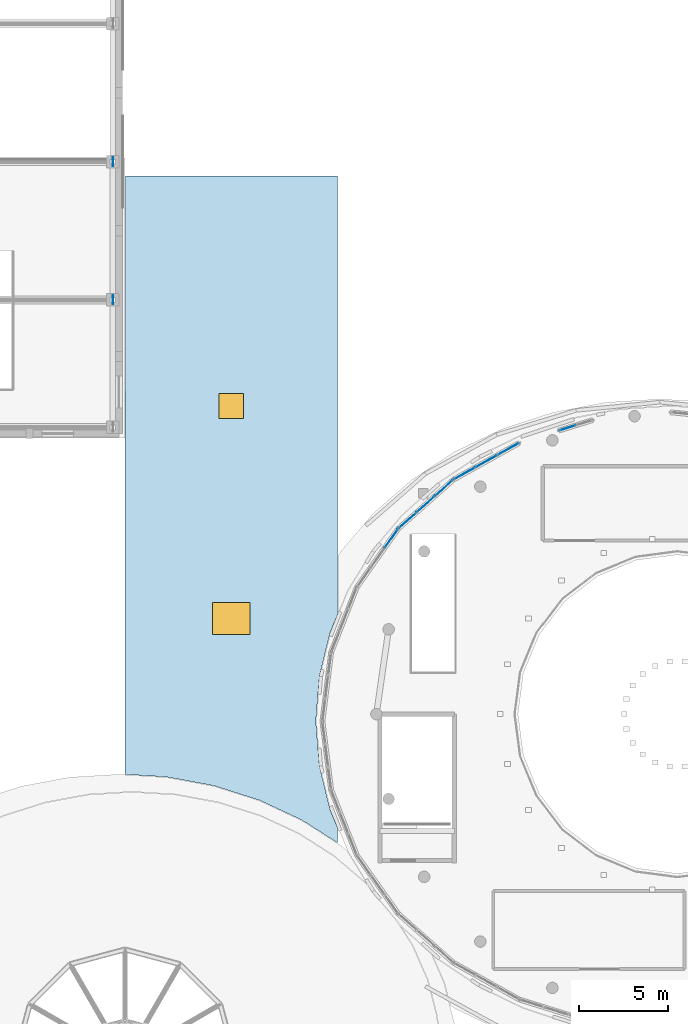
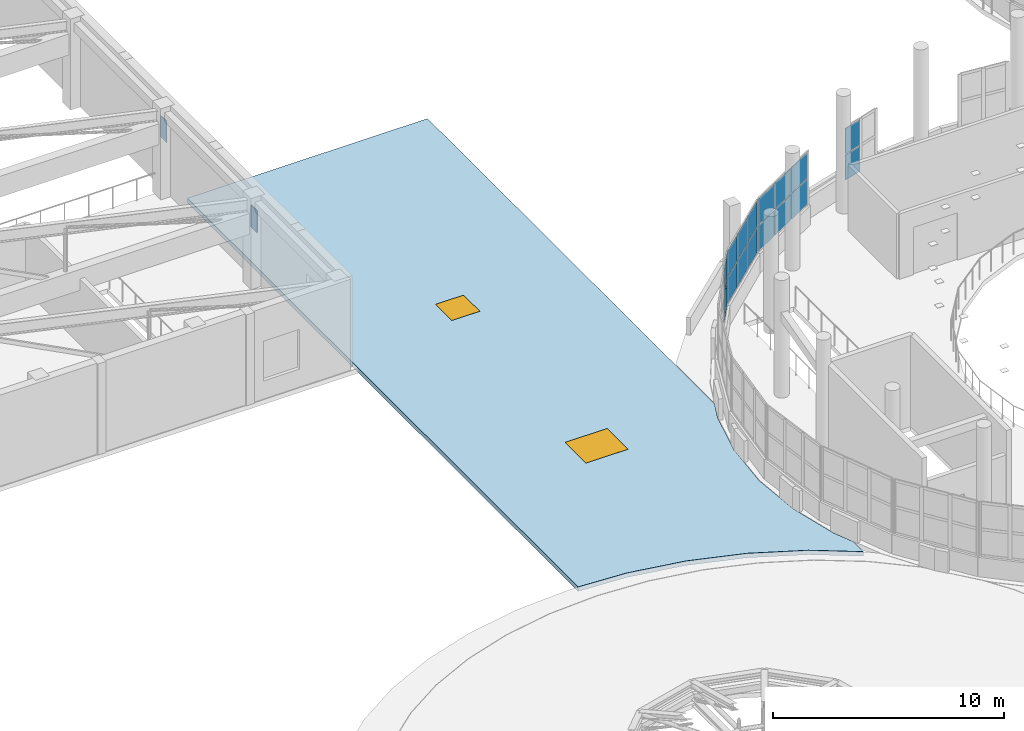
# One storey, part 74 of 105: 18 plates, 2 windows, 1 slab, 2 openings, 4 elements without a shape of their own.
"""IFC4 building model written with IfcOpenShell, lengths in metres."""

from ifc_helpers import new_model, si_unit, direction, frame, origin, origin_2d, place, context, subcontext, project, spatial, polyline, rectangle, outline, extrude, material, layer, layer_set, type_object, element, fill, aggregate, save


model = new_model("IFC4")

# Units and contexts
model_context = context("Model", 3, precision=1e-05, world=origin(), true_north=direction((0.0, 1.0)))
body_context = subcontext(model_context, "Body", "Model", "MODEL_VIEW")
ifc_project = project(units=[si_unit("LENGTHUNIT", "METRE"), si_unit("AREAUNIT", "SQUARE_METRE"), si_unit("VOLUMEUNIT", "CUBIC_METRE"), si_unit("PLANEANGLEUNIT", "RADIAN"), si_unit("MASSUNIT", "GRAM", prefix="KILO")], contexts=[model_context])

# Site, building, storey
site_placement = place(None, origin())
site = spatial("IfcSite", under=ifc_project, at=site_placement, CompositionType="ELEMENT")
building_placement = place(site_placement, origin())
building = spatial("IfcBuilding", under=site, at=building_placement, Name="Pelvatis Terrace Science Centre", CompositionType="ELEMENT")
storey_placement = place(building_placement, frame((0.0, 0.0, 10.199951171875)))
storey = spatial("IfcBuildingStorey", under=building, at=storey_placement, Name="L02", CompositionType="ELEMENT", Elevation=10.199951171875)

# Curtain wall, plates
ifc_material_1 = material(Name="Bronze-anodised aluminium and laminated glass", Category="aluminium")
ifc_layer_1 = layer(ifc_material_1, 0.179931640625)
ifc_layer_set_1 = layer_set([ifc_layer_1], Name="Bronze-anodised aluminium and laminated glass")
curtain_wall_type = type_object("IfcCurtainWallType", Name="CW-RIBBON-A", PredefinedType="NOTDEFINED", material=ifc_layer_set_1)
curtain_wall_1_placement = place(storey_placement, origin())
curtain_wall_1 = element("IfcCurtainWall", 1, at=curtain_wall_1_placement, inside=storey, type_object=curtain_wall_type, Name="Ribbon curtain wall CW-081 (L02)", PredefinedType="NOTDEFINED")
ifc_material_2 = material(Name="Low-e laminated solar-control double glazing", Category="glass")
ifc_layer_2 = layer(ifc_material_2, 0.035888671875)
ifc_layer_set_2 = layer_set([ifc_layer_2], Name="Low-e laminated solar-control double glazing")
plate_type_1 = type_object("IfcPlateType", Name="CWP-IGU-36", PredefinedType="CURTAIN_PANEL", material=ifc_layer_set_2)
plate_1_placement = place(storey_placement, frame((71.789794921875, 70.765869140625, 1.080078125), z_axis=(0.0, 0.0, 1.0), x_axis=(-0.954960562512, -0.296732748523, 0.0)))
plate_1 = element("IfcPlate", 2, at=plate_1_placement, type_object=plate_type_1, Name="CW-081 panel 2.1", PredefinedType="CURTAIN_PANEL", context=body_context, shape_type="SweptSolid", body=[
    extrude(rectangle(XDim=0.923828125, YDim=0.035888671875, at=origin_2d()), origin(), (0.0, 0.0, 1.0), 1.330078125),
])
plate_2_placement = place(storey_placement, frame((71.789794921875, 70.765869140625, 2.469970703125), z_axis=(0.0, 0.0, 1.0), x_axis=(-0.954960562512, -0.296732748523, 0.0)))
plate_2 = element("IfcPlate", 3, at=plate_2_placement, type_object=plate_type_1, Name="CW-081 panel 2.2", PredefinedType="CURTAIN_PANEL", context=body_context, shape_type="SweptSolid", body=[
    extrude(rectangle(XDim=0.923828125, YDim=0.035888671875, at=origin_2d()), origin(), (0.0, 0.0, 1.0), 1.330078125),
])
aggregate(curtain_wall_1, [plate_1, plate_2])

curtain_wall_2_placement = place(storey_placement, origin())
curtain_wall_2 = element("IfcCurtainWall", 4, at=curtain_wall_2_placement, inside=storey, type_object=curtain_wall_type, Name="Ribbon curtain wall CW-082 (L02)", PredefinedType="NOTDEFINED")
plate_3_placement = place(storey_placement, frame((68.440185546875, 69.568115234375, 1.080078125), z_axis=(0.0, 0.0, 1.0), x_axis=(-0.87325916589, -0.487256020167, 0.0)))
plate_3 = element("IfcPlate", 5, at=plate_3_placement, type_object=plate_type_1, Name="CW-082 panel 1.1", PredefinedType="CURTAIN_PANEL", context=body_context, shape_type="SweptSolid", body=[
    extrude(rectangle(XDim=1.332275390625, YDim=0.035888671875, at=origin_2d()), origin(), (0.0, 0.0, 1.0), 1.330078125),
])
plate_4_placement = place(storey_placement, frame((68.440185546875, 69.568115234375, 2.469970703125), z_axis=(0.0, 0.0, 1.0), x_axis=(-0.87325916589, -0.487256020167, 0.0)))
plate_4 = element("IfcPlate", 6, at=plate_4_placement, type_object=plate_type_1, Name="CW-082 panel 1.2", PredefinedType="CURTAIN_PANEL", context=body_context, shape_type="SweptSolid", body=[
    extrude(rectangle(XDim=1.332275390625, YDim=0.035888671875, at=origin_2d()), origin(), (0.0, 0.0, 1.0), 1.330078125),
])
plate_5_placement = place(storey_placement, frame((67.211181640625, 68.882568359375, 1.080078125), z_axis=(0.0, 0.0, 1.0), x_axis=(-0.87325916589, -0.487256020167, 0.0)))
plate_5 = element("IfcPlate", 7, at=plate_5_placement, type_object=plate_type_1, Name="CW-082 panel 2.1", PredefinedType="CURTAIN_PANEL", context=body_context, shape_type="SweptSolid", body=[
    extrude(rectangle(XDim=1.362060546875, YDim=0.035888671875, at=origin_2d()), origin(), (0.0, 0.0, 1.0), 1.330078125),
])
plate_6_placement = place(storey_placement, frame((67.211181640625, 68.882568359375, 2.469970703125), z_axis=(0.0, 0.0, 1.0), x_axis=(-0.87325916589, -0.487256020167, 0.0)))
plate_6 = element("IfcPlate", 8, at=plate_6_placement, type_object=plate_type_1, Name="CW-082 panel 2.2", PredefinedType="CURTAIN_PANEL", context=body_context, shape_type="SweptSolid", body=[
    extrude(rectangle(XDim=1.362060546875, YDim=0.035888671875, at=origin_2d()), origin(), (0.0, 0.0, 1.0), 1.330078125),
])
plate_7_placement = place(storey_placement, frame((65.982421875, 68.19677734375, 1.080078125), z_axis=(0.0, 0.0, 1.0), x_axis=(-0.87325916589, -0.487256020167, 0.0)))
plate_7 = element("IfcPlate", 9, at=plate_7_placement, type_object=plate_type_1, Name="CW-082 panel 3.1", PredefinedType="CURTAIN_PANEL", context=body_context, shape_type="SweptSolid", body=[
    extrude(rectangle(XDim=1.332275390625, YDim=0.035888671875, at=origin_2d()), origin(), (0.0, 0.0, 1.0), 1.330078125),
])
plate_8_placement = place(storey_placement, frame((65.982421875, 68.19677734375, 2.469970703125), z_axis=(0.0, 0.0, 1.0), x_axis=(-0.87325916589, -0.487256020167, 0.0)))
plate_8 = element("IfcPlate", 10, at=plate_8_placement, type_object=plate_type_1, Name="CW-082 panel 3.2", PredefinedType="CURTAIN_PANEL", context=body_context, shape_type="SweptSolid", body=[
    extrude(rectangle(XDim=1.332275390625, YDim=0.035888671875, at=origin_2d()), origin(), (0.0, 0.0, 1.0), 1.330078125),
])
aggregate(curtain_wall_2, [plate_3, plate_4, plate_5, plate_6, plate_7, plate_8])

curtain_wall_3_placement = place(storey_placement, origin())
curtain_wall_3 = element("IfcCurtainWall", 11, at=curtain_wall_3_placement, inside=storey, type_object=curtain_wall_type, Name="Ribbon curtain wall CW-083 (L02)", PredefinedType="NOTDEFINED")
plate_9_placement = place(storey_placement, frame((64.818603515625, 67.37255859375, 1.080078125), z_axis=(0.0, 0.0, 1.0), x_axis=(-0.747718167808, -0.664016220834, 0.0)))
plate_9 = element("IfcPlate", 12, at=plate_9_placement, type_object=plate_type_1, Name="CW-083 panel 1.1", PredefinedType="CURTAIN_PANEL", context=body_context, shape_type="SweptSolid", body=[
    extrude(rectangle(XDim=1.297119140625, YDim=0.035888671875, at=origin_2d()), origin(), (0.0, 0.0, 1.0), 1.330078125),
])
plate_10_placement = place(storey_placement, frame((64.818603515625, 67.37255859375, 2.469970703125), z_axis=(0.0, 0.0, 1.0), x_axis=(-0.747718167808, -0.664016220834, 0.0)))
plate_10 = element("IfcPlate", 13, at=plate_10_placement, type_object=plate_type_1, Name="CW-083 panel 1.2", PredefinedType="CURTAIN_PANEL", context=body_context, shape_type="SweptSolid", body=[
    extrude(rectangle(XDim=1.297119140625, YDim=0.035888671875, at=origin_2d()), origin(), (0.0, 0.0, 1.0), 1.330078125),
])
plate_11_placement = place(storey_placement, frame((63.792724609375, 66.46142578125, 1.080078125), z_axis=(0.0, 0.0, 1.0), x_axis=(-0.747718167808, -0.664016220834, 0.0)))
plate_11 = element("IfcPlate", 14, at=plate_11_placement, type_object=plate_type_1, Name="CW-083 panel 2.1", PredefinedType="CURTAIN_PANEL", context=body_context, shape_type="SweptSolid", body=[
    extrude(rectangle(XDim=1.3271484375, YDim=0.035888671875, at=origin_2d()), origin(), (0.0, 0.0, 1.0), 1.330078125),
])
plate_12_placement = place(storey_placement, frame((63.792724609375, 66.46142578125, 2.469970703125), z_axis=(0.0, 0.0, 1.0), x_axis=(-0.747718167808, -0.664016220834, 0.0)))
plate_12 = element("IfcPlate", 15, at=plate_12_placement, type_object=plate_type_1, Name="CW-083 panel 2.2", PredefinedType="CURTAIN_PANEL", context=body_context, shape_type="SweptSolid", body=[
    extrude(rectangle(XDim=1.3271484375, YDim=0.035888671875, at=origin_2d()), origin(), (0.0, 0.0, 1.0), 1.330078125),
])
plate_13_placement = place(storey_placement, frame((62.766845703125, 65.55029296875, 1.080078125), z_axis=(0.0, 0.0, 1.0), x_axis=(-0.747718167808, -0.664016220834, 0.0)))
plate_13 = element("IfcPlate", 16, at=plate_13_placement, type_object=plate_type_1, Name="CW-083 panel 3.1", PredefinedType="CURTAIN_PANEL", context=body_context, shape_type="SweptSolid", body=[
    extrude(rectangle(XDim=1.297119140625, YDim=0.035888671875, at=origin_2d()), origin(), (0.0, 0.0, 1.0), 1.330078125),
])
plate_14_placement = place(storey_placement, frame((62.766845703125, 65.55029296875, 2.469970703125), z_axis=(0.0, 0.0, 1.0), x_axis=(-0.747718167808, -0.664016220834, 0.0)))
plate_14 = element("IfcPlate", 17, at=plate_14_placement, type_object=plate_type_1, Name="CW-083 panel 3.2", PredefinedType="CURTAIN_PANEL", context=body_context, shape_type="SweptSolid", body=[
    extrude(rectangle(XDim=1.297119140625, YDim=0.035888671875, at=origin_2d()), origin(), (0.0, 0.0, 1.0), 1.330078125),
])
aggregate(curtain_wall_3, [plate_9, plate_10, plate_11, plate_12, plate_13, plate_14])

curtain_wall_4_placement = place(storey_placement, origin())
curtain_wall_4 = element("IfcCurtainWall", 18, at=curtain_wall_4_placement, inside=storey, type_object=curtain_wall_type, Name="Ribbon curtain wall CW-084 (L02)", PredefinedType="NOTDEFINED")
plate_15_placement = place(storey_placement, frame((61.838134765625, 64.51611328125, 1.080078125), z_axis=(0.0, 0.0, 1.0), x_axis=(-0.57759146286, -0.8163259778, 0.0)))
plate_15 = element("IfcPlate", 19, at=plate_15_placement, type_object=plate_type_1, Name="CW-084 panel 1.1", PredefinedType="CURTAIN_PANEL", context=body_context, shape_type="SweptSolid", body=[
    extrude(rectangle(XDim=1.260986328125, YDim=0.035888671875, at=origin_2d()), origin(), (0.0, 0.0, 1.0), 1.330078125),
])
plate_16_placement = place(storey_placement, frame((61.838134765625, 64.51611328125, 2.469970703125), z_axis=(0.0, 0.0, 1.0), x_axis=(-0.57759146286, -0.8163259778, 0.0)))
plate_16 = element("IfcPlate", 20, at=plate_16_placement, type_object=plate_type_1, Name="CW-084 panel 1.2", PredefinedType="CURTAIN_PANEL", context=body_context, shape_type="SweptSolid", body=[
    extrude(rectangle(XDim=1.260986328125, YDim=0.035888671875, at=origin_2d()), origin(), (0.0, 0.0, 1.0), 1.330078125),
])
aggregate(curtain_wall_4, [plate_15, plate_16])

# Plates
ifc_material_3 = material(Name="Structural steel S355", Category="steel")
ifc_layer_3 = layer(ifc_material_3, 1.139892578125)
ifc_layer_set_3 = layer_set([ifc_layer_3], Name="Structural steel S355")
plate_type_2 = type_object("IfcPlateType", Name="PLT-CAP-BOX1100", PredefinedType="USERDEFINED", material=ifc_layer_set_3)
for number, where, z_axis, x_axis, name in (
    (21, (46.112060546875, 78.0, 2.830078125), (0.0, 0.0, 1.0), (1.0, 0.0, 0.0), "Hollow box girder end cap plate 004"),
    (22, (46.112060546875, 85.800048828125, 2.830078125), (0.0, 0.0, 1.0), (1.0, 0.0, 0.0), "Hollow box girder end cap plate 006"),
):
    element("IfcPlate", number, at=place(storey_placement, frame(where, z_axis=z_axis, x_axis=x_axis)), inside=storey, type_object=plate_type_2, Name=name, ObjectType="CAP PLATE", PredefinedType="USERDEFINED", context=body_context, shape_type="SweptSolid", body=[
        extrude(rectangle(XDim=0.031982421875, YDim=0.52001953125, at=origin_2d()), origin(), (0.0, 0.0, 1.0), 1.139892578125),
    ])

# Slab, openings, windows
ifc_material_4 = material(Name="Concrete C35/45", Category="concrete")
ifc_layer_4 = layer(ifc_material_4, 0.236083984375)
ifc_layer_set_4 = layer_set([ifc_layer_4], Name="Concrete C35/45")
slab_type = type_object("IfcSlabType", Name="SLB-ROOF-236", PredefinedType="ROOF", material=ifc_layer_set_4)
slab_placement = place(storey_placement, frame((0.0, 0.0, -0.23583984375)))
slab = element("IfcSlab", 23, at=slab_placement, inside=storey, type_object=slab_type, Name="L02 Covered Science Passage roof slab", PredefinedType="ROOF", context=body_context, shape_type="SweptSolid", body=[
    extrude(outline(polyline([(46.800048828125, 51.195556640625), (46.820068359375, 85.0), (58.800048828125, 85.0), (58.800048828125, 60.197021484375), (58.39111328125, 59.22119140625), (57.7841796875, 56.73779296875), (57.580078125, 54.199951171875), (57.783935546875, 51.66357421875), (58.39111328125, 49.178955078125), (58.800048828125, 48.203125), (58.800048828125, 47.328857421875), (56.788818359375, 48.61474609375), (54.382080078125, 49.737060546875), (51.81298828125, 50.555419921875), (49.135986328125, 51.052734375), (46.800048828125, 51.195556640625)])), origin(), (0.0, 0.0, 1.0), 0.23583984375),
])
opening_1_placement = place(slab_placement, frame((52.800048828125, 60.0, 0.0)))
opening_1 = element("IfcOpeningElement", 24, at=opening_1_placement, cuts=slab, Name="Opening SKY-04", PredefinedType="OPENING", context=body_context, shape_type="SweptSolid", body=[
    extrude(rectangle(XDim=2.10009765625, YDim=1.800048828125, at=origin_2d()), origin(), (0.0, 0.0, 1.0), 0.23583984375),
])
opening_2_placement = place(slab_placement, frame((52.800048828125, 72.0, 0.0)))
opening_2 = element("IfcOpeningElement", 25, at=opening_2_placement, cuts=slab, Name="Opening LDM-03", PredefinedType="OPENING", context=body_context, shape_type="SweptSolid", body=[
    extrude(rectangle(XDim=1.39990234375, YDim=1.39990234375, at=origin_2d()), origin(), (0.0, 0.0, 1.0), 0.23583984375),
])
ifc_material_5 = material(Name="Bronze-anodised aluminium and laminated low-e glass", Category="aluminium")
window_type_1 = type_object("IfcWindowType", Name="LDM-OCU-1400x1400", PartitioningType="SINGLE_PANEL", PredefinedType="LIGHTDOME", material=ifc_material_5)
window_1_placement = place(opening_2_placement, frame((0.0, 0.0, 0.185791015625)))
window_1 = element("IfcWindow", 26, at=window_1_placement, inside=storey, type_object=window_type_1, Name="Roof lightdome LDM-03", OverallHeight=1.39990234375, OverallWidth=1.39990234375, PartitioningType="SINGLE_PANEL", PredefinedType="LIGHTDOME", context=body_context, shape_type="SweptSolid", body=[
    extrude(rectangle(XDim=1.39990234375, YDim=1.39990234375, at=origin_2d()), origin(), (0.0, 0.0, 1.0), 0.050048828125),
])
fill(opening_2, window_1)
ifc_material_6 = material(Name="Bronze-anodised aluminium and laminated low-e glass", Category="aluminium")
window_type_2 = type_object("IfcWindowType", Name="SKY-MOD-2100x1800", PartitioningType="SINGLE_PANEL", PredefinedType="SKYLIGHT", material=ifc_material_6)
window_2_placement = place(opening_1_placement, frame((0.0, 0.0, 0.185791015625)))
window_2 = element("IfcWindow", 27, at=window_2_placement, inside=storey, type_object=window_type_2, Name="Roof skylight SKY-04", OverallHeight=1.800048828125, OverallWidth=2.10009765625, PartitioningType="SINGLE_PANEL", PredefinedType="SKYLIGHT", context=body_context, shape_type="SweptSolid", body=[
    extrude(rectangle(XDim=2.10009765625, YDim=1.800048828125, at=origin_2d()), origin(), (0.0, 0.0, 1.0), 0.050048828125),
])
fill(opening_1, window_2)

save(model, "model.ifc")
